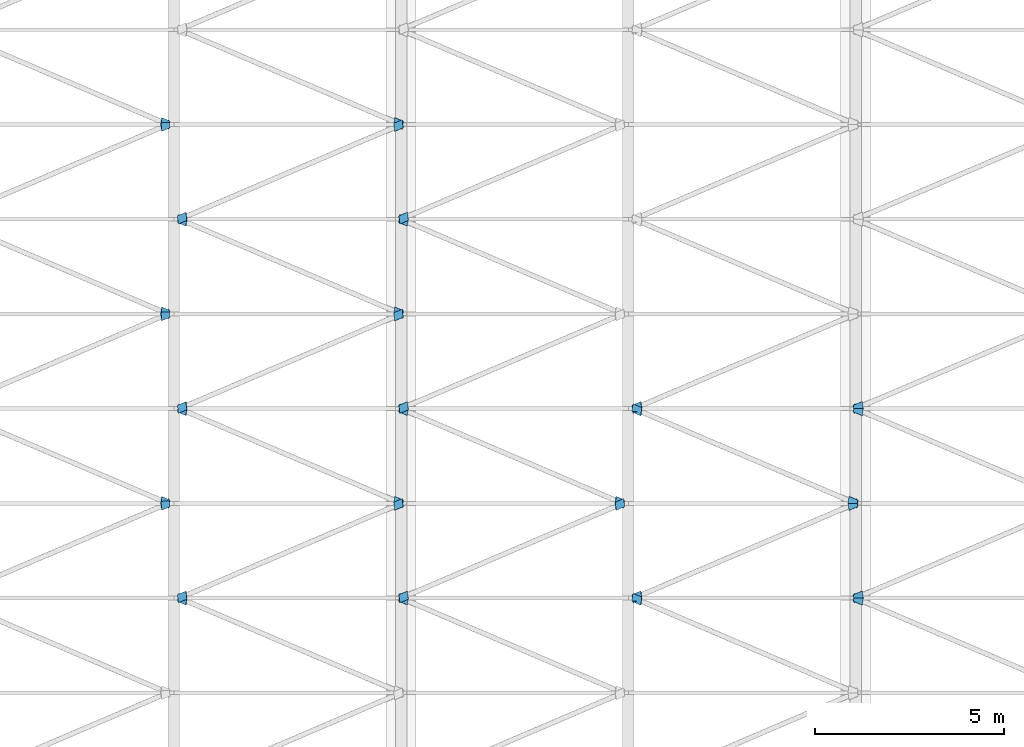
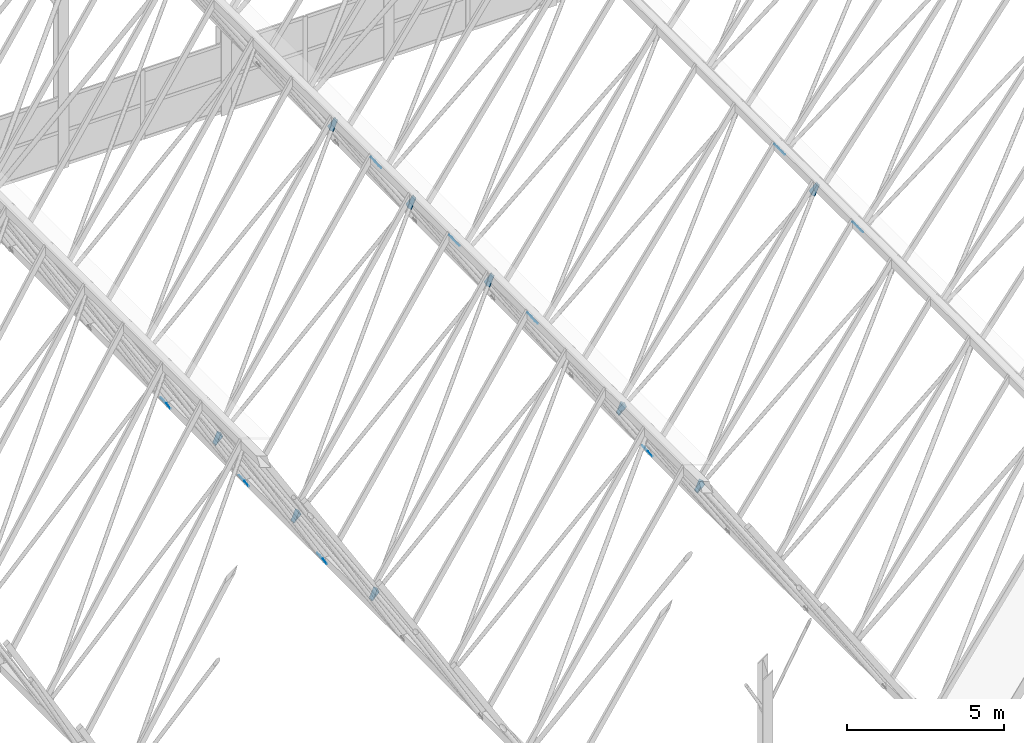
# One storey, part 419 of 483: 36 discrete accessories.
"""IFC4 building model written with IfcOpenShell, lengths in metres."""

import ifcopenshell
import ifcopenshell.guid

model = None  # the IFC model being written
_history = None  # IfcOwnerHistory: only IFC2X3 demands one
_inside = {}  # id of a spatial element -> (the spatial element, [elements in it])
_under = {}  # id of a project, library or spatial element -> (it, [spatial elements below it])
_declared = {}  # id of a project -> (the project, [libraries it declares])
_typed = {}  # id of a type object -> (the type object, [elements of that type])
_made_of = {}  # id of a material, layer set ... -> (it, [elements and type objects made of it])


def new_model(schema):
    """Start an empty IFC model of exactly this schema.

    Asked for "IFC4X3", IfcOpenShell would pick the latest addendum, in which some entities
    have other attributes; the version numbers below select the first issue.
    IFC2X3 requires an IfcOwnerHistory on every rooted entity: one is made here for all.
    """
    global model, _history
    if schema == "IFC4X3":
        model = ifcopenshell.file(schema_version=(4, 3, 0, 0))
    else:
        model = ifcopenshell.file(schema=schema)
    _inside.clear()
    _under.clear()
    _declared.clear()
    _typed.clear()
    _made_of.clear()
    _history = None
    if model.schema == "IFC2X3":
        org = make("IfcOrganization", Name="unknown")
        user = make(
            "IfcPersonAndOrganization",
            ThePerson=make("IfcPerson", FamilyName="unknown"),
            TheOrganization=org,
        )
        app = make(
            "IfcApplication",
            ApplicationDeveloper=org,
            Version="unknown",
            ApplicationFullName="unknown",
            ApplicationIdentifier="unknown",
        )
        _history = make(
            "IfcOwnerHistory",
            OwningUser=user,
            OwningApplication=app,
            ChangeAction="ADDED",
            CreationDate=0,
        )
    return model


def make(cls, **values):
    """One entity of the class cls with the attributes given. An attribute that is None is left unset."""
    return model.create_entity(
        cls, **{name: value for name, value in values.items() if value is not None}
    )


def rooted(cls, **values):
    """An entity with a GlobalId (a new one), such as an element, a storey or a relation."""
    return make(cls, GlobalId=ifcopenshell.guid.new(), OwnerHistory=_history, **values)


def si_unit(unit_type, name, prefix=None):
    """IfcSIUnit, for example si_unit("LENGTHUNIT", "METRE", prefix="MILLI")."""
    return make("IfcSIUnit", UnitType=unit_type, Prefix=prefix, Name=name)


def assignment(units):
    """IfcUnitAssignment: the units of a project."""
    return None if units is None else make("IfcUnitAssignment", Units=units)


def point(xyz):
    """IfcCartesianPoint."""
    return None if xyz is None else make("IfcCartesianPoint", Coordinates=xyz)


def direction(xyz):
    """IfcDirection."""
    return None if xyz is None else make("IfcDirection", DirectionRatios=xyz)


def frame(location, z_axis=None, x_axis=None):
    """IfcAxis2Placement3D, a coordinate frame: its origin and axes. An axis left out is left unset."""
    return make(
        "IfcAxis2Placement3D",
        Location=point(location),
        Axis=direction(z_axis),
        RefDirection=direction(x_axis),
    )


def origin():
    """The frame at (0, 0, 0) with its axes left unset."""
    return frame((0.0, 0.0, 0.0))


def place(relative_to, where):
    """IfcLocalPlacement: puts the frame where relative to a parent placement (None: the world)."""
    return make(
        "IfcLocalPlacement", PlacementRelTo=relative_to, RelativePlacement=where
    )


def context(
    kind, dimensions, precision=None, world=None, true_north=None, identifier=None
):
    """IfcGeometricRepresentationContext, for example the 3D "Model" context."""
    return make(
        "IfcGeometricRepresentationContext",
        ContextIdentifier=identifier,
        ContextType=kind,
        CoordinateSpaceDimension=dimensions,
        Precision=precision,
        WorldCoordinateSystem=world,
        TrueNorth=true_north,
    )


def subcontext(parent, identifier, kind, view, scale=None):
    """IfcGeometricRepresentationSubContext, for example "Body" below "Model"."""
    return make(
        "IfcGeometricRepresentationSubContext",
        ContextIdentifier=identifier,
        ContextType=kind,
        ParentContext=parent,
        TargetScale=scale,
        TargetView=view,
    )


def project(units=None, contexts=None):
    """IfcProject with its units and contexts."""
    return rooted(
        "IfcProject",
        Name="project",
        RepresentationContexts=contexts,
        UnitsInContext=assignment(units),
    )


def spatial(cls, under=None, at=None, **own):
    """A site, building, storey or space (cls), placed at a placement, below another one or the project."""
    s = rooted(cls, ObjectPlacement=at, **own)
    if under is not None:
        _under.setdefault(under.id(), (under, []))[1].append(s)
    return s


def polyline(points):
    """IfcPolyline through the points."""
    return make("IfcPolyline", Points=[point(p) for p in points])


def outline(outer, holes=None, kind="AREA"):
    """IfcArbitraryClosedProfileDef: a profile drawn as a closed curve; with holes, ...WithVoids."""
    if holes is None:
        return make("IfcArbitraryClosedProfileDef", ProfileType=kind, OuterCurve=outer)
    return make(
        "IfcArbitraryProfileDefWithVoids",
        ProfileType=kind,
        OuterCurve=outer,
        InnerCurves=holes,
    )


def extrude(swept, where, along, depth):
    """IfcExtrudedAreaSolid: the profile swept, set in the frame where, extruded along a direction by depth."""
    return make(
        "IfcExtrudedAreaSolid",
        SweptArea=swept,
        Position=where,
        ExtrudedDirection=direction(along),
        Depth=depth,
    )


def shape(context_of_items, identifier, shape_type, items):
    """IfcShapeRepresentation: the items that make up one representation, for example the "Body"."""
    return make(
        "IfcShapeRepresentation",
        ContextOfItems=context_of_items,
        RepresentationIdentifier=identifier,
        RepresentationType=shape_type,
        Items=items,
    )


def material(Name=None, Category=None):
    """IfcMaterial."""
    return make("IfcMaterial", Name=Name, Category=Category)


def layer(
    of_material, thickness, ventilated=None, Name=None, Category=None, Priority=None
):
    """IfcMaterialLayer: one layer of a wall or slab, of a material (None: an air gap)."""
    return make(
        "IfcMaterialLayer",
        Material=of_material,
        LayerThickness=thickness,
        IsVentilated=ventilated,
        Name=Name,
        Category=Category,
        Priority=Priority,
    )


def layer_set(layers, Name=None):
    """IfcMaterialLayerSet."""
    return make("IfcMaterialLayerSet", MaterialLayers=layers, LayerSetName=Name)


def made_of(thing, what):
    """Note that an element or type object is made of a material, layer set ...; save() writes the relation."""
    if what is not None:
        _made_of.setdefault(what.id(), (what, []))[1].append(thing)
    return thing


def type_object(cls, material=None, **own):
    """A type object (cls), such as IfcWallType, which elements share."""
    return made_of(rooted(cls, **own), material)


def element(
    cls,
    number,
    at=None,
    inside=None,
    cuts=None,
    type_object=None,
    material=None,
    context=None,
    identifier="Body",
    shape_type=None,
    held_by="IfcProductDefinitionShape",
    body=None,
    shapes=None,
    **own,
):
    """One element of the class cls, such as IfcWall. Its Tag is "e" and its number.

    at: its placement. inside: the storey or other place that contains it. cuts: it is an
    opening in that element (IfcRelVoidsElement). A single representation is given by context,
    identifier, shape_type and body (its items); several are given by shapes. held_by: the class
    of the entity that holds the representations. save() writes the other relations.
    """
    e = rooted(cls, Tag="e%d" % number, ObjectPlacement=at, **own)
    if body is not None:
        shapes = [shape(context, identifier, shape_type, body)]
    if shapes is not None:
        e.Representation = make(held_by, Representations=shapes)
    if inside is not None:
        _inside.setdefault(inside.id(), (inside, []))[1].append(e)
    if cuts is not None:
        rooted(
            "IfcRelVoidsElement", RelatingBuildingElement=cuts, RelatedOpeningElement=e
        )
    if type_object is not None:
        _typed.setdefault(type_object.id(), (type_object, []))[1].append(e)
    return made_of(e, material)


def aggregate(whole, parts):
    """IfcRelAggregates: a whole, such as a stair, and the parts it consists of."""
    return rooted("IfcRelAggregates", RelatingObject=whole, RelatedObjects=parts)


def save(model, path):
    """Write the relations noted so far, then the file.

    IfcRelAggregates (storeys below a building ...), IfcRelContainedInSpatialStructure (elements
    in a storey), IfcRelDefinesByType, IfcRelAssociatesMaterial and IfcRelDeclares: one each for
    every whole, place, type object, material and project.
    """
    for whole, parts in _under.values():
        aggregate(whole, parts)
    for where, things in _inside.values():
        rooted(
            "IfcRelContainedInSpatialStructure",
            RelatedElements=things,
            RelatingStructure=where,
        )
    for kind, things in _typed.values():
        rooted("IfcRelDefinesByType", RelatedObjects=things, RelatingType=kind)
    for what, things in _made_of.values():
        rooted("IfcRelAssociatesMaterial", RelatedObjects=things, RelatingMaterial=what)
    for by, libraries in _declared.values():
        rooted("IfcRelDeclares", RelatingContext=by, RelatedDefinitions=libraries)
    model.write(path)


model = new_model("IFC4")

# Units and contexts
model_context = context("Model", 3, precision=1e-05, world=origin(), true_north=direction((0.0, 1.0)))
body_context = subcontext(model_context, "Body", "Model", "MODEL_VIEW")
ifc_project = project(units=[si_unit("LENGTHUNIT", "METRE"), si_unit("AREAUNIT", "SQUARE_METRE"), si_unit("VOLUMEUNIT", "CUBIC_METRE"), si_unit("PLANEANGLEUNIT", "RADIAN"), si_unit("MASSUNIT", "GRAM", prefix="KILO")], contexts=[model_context])

# Site, building, storey
site_placement = place(None, origin())
site = spatial("IfcSite", under=ifc_project, at=site_placement, CompositionType="ELEMENT")
building_placement = place(site_placement, origin())
building = spatial("IfcBuilding", under=site, at=building_placement, Name="Parallax Yard Mobility Hub", CompositionType="ELEMENT")
storey_placement = place(building_placement, frame((0.0, 0.0, 13.199951171875)))
storey = spatial("IfcBuildingStorey", under=building, at=storey_placement, Name="L04", CompositionType="ELEMENT", Elevation=13.199951171875)

# Discrete accessories
ifc_material = material(Name="Steel ASTM A36", Category="steel")
ifc_layer = layer(ifc_material, 0.011962890625)
ifc_layer_set = layer_set([ifc_layer], Name="Gusset plate PL12")
discrete_accessory_type = type_object("IfcDiscreteAccessoryType", Name="Gusset plate PL12", PredefinedType="BRACKET", material=ifc_layer_set)
discrete_accessory_1_placement = place(storey_placement, frame((63.205322265625, 22.525390625, 11.4072265625), z_axis=(0.817216414757, 0.000113800611, 0.57633091059), x_axis=(-0.559637132998, 0.239096541355, 0.793498029791)))
element("IfcDiscreteAccessory", 1, at=discrete_accessory_1_placement, inside=storey, type_object=discrete_accessory_type, Name="Gusset plate PL12 at end 2 of Plate diagonal plate F10-F11 bay 6", PredefinedType="BRACKET", context=body_context, shape_type="SweptSolid", body=[
    extrude(outline(polyline([(0.0, 0.0), (0.41967063307510005, 0.0), (0.419748606007688, 0.2195204244093797), (1.9599753546109544e-05, 0.21975748392927294), (0.0, 0.0)])), origin(), (0.0, 0.0, -1.0), 0.011962890625),
])
discrete_accessory_2_placement = place(storey_placement, frame((45.34716796875, 22.529541015625, 3.7099609375), z_axis=(-0.837151551627, 0.000426998738, 0.546970837688), x_axis=(-0.53248050313, 0.228017799443, -0.815151763124)))
element("IfcDiscreteAccessory", 2, at=discrete_accessory_2_placement, inside=storey, type_object=discrete_accessory_type, Name="Gusset plate PL12 at end 2 of Plate diagonal plate F7-F8 bay 6", PredefinedType="BRACKET", context=body_context, shape_type="SweptSolid", body=[
    extrude(outline(polyline([(0.0, 0.0), (0.4197174654260176, 0.0), (0.41974195939473513, 0.2196592115453762), (-4.451756936702661e-05, 0.21964319813459596), (0.0, 0.0)])), origin(), (0.0, 0.0, -1.0), 0.011962890625),
])
discrete_accessory_3_placement = place(storey_placement, frame((51.194580078125, 22.529541015625, 12.05908203125), z_axis=(0.837104809416, -9.4721445e-05, 0.547042529498), x_axis=(-0.532604607357, 0.228088646198, 0.81505085835)))
element("IfcDiscreteAccessory", 3, at=discrete_accessory_3_placement, inside=storey, type_object=discrete_accessory_type, Name="Gusset plate PL12 at end 2 of Plate diagonal plate F8-F9 bay 6", PredefinedType="BRACKET", context=body_context, shape_type="SweptSolid", body=[
    extrude(outline(polyline([(0.0, 0.0), (0.41958745546633935, 1.3877787807814457e-17), (0.41972598432320807, 0.21968973525675228), (8.498435150723627e-06, 0.21965925395969144), (0.0, 0.0)])), origin(), (0.0, 0.0, -1.0), 0.011962890625),
])
discrete_accessory_4_placement = place(storey_placement, frame((57.357666015625, 22.525390625, 3.7021484375), z_axis=(-0.817166710519, -0.000464958066, 0.576401206656), x_axis=(-0.559774062579, 0.239096466815, -0.793401461065)))
element("IfcDiscreteAccessory", 4, at=discrete_accessory_4_placement, inside=storey, type_object=discrete_accessory_type, Name="Gusset plate PL12 at end 2 of Plate diagonal plate F9-F10 bay 6", PredefinedType="BRACKET", context=body_context, shape_type="SweptSolid", body=[
    extrude(outline(polyline([(0.0, 0.0), (0.41967062718625203, 1.3877787807814457e-17), (0.4197486118976303, 0.21952041314712403), (0.00021331307911515163, 0.21980523679261565), (0.0, 0.0)])), origin(), (0.0, 0.0, -1.0), 0.011962890625),
])
discrete_accessory_5_placement = place(storey_placement, frame((63.175048828125, 22.68798828125, 11.4501953125), z_axis=(0.817216414757, -0.000113800611, 0.57633091059), x_axis=(-0.559559267154, -0.239644913639, 0.793387510558)))
element("IfcDiscreteAccessory", 5, at=discrete_accessory_5_placement, inside=storey, type_object=discrete_accessory_type, Name="Gusset plate PL12 at end 1 of Plate diagonal plate F10-F11 bay 7", PredefinedType="BRACKET", context=body_context, shape_type="SweptSolid", body=[
    extrude(outline(polyline([(0.0, 0.0), (0.41972907319877845, -1.3877787807814457e-17), (0.41977508360439614, 0.2195204334354663), (0.00010451746461155598, 0.2197574599488595), (0.0, 0.0)])), origin(), (0.0, 0.0, -1.0), 0.011962890625),
])
discrete_accessory_6_placement = place(storey_placement, frame((44.6875, 24.819091796875, 3.676025390625), z_axis=(0.854018875597, 0.000557720542, 0.520241721771), x_axis=(0.507754756906, 0.21688936589, -0.833753026863)))
element("IfcDiscreteAccessory", 6, at=discrete_accessory_6_placement, inside=storey, type_object=discrete_accessory_type, Name="Gusset plate PL12 at end 2 of Plate diagonal plate F6-F7 bay 7", PredefinedType="BRACKET", context=body_context, shape_type="SweptSolid", body=[
    extrude(outline(polyline([(0.0, 0.0), (0.41986608319760876, -1.3877787807814457e-17), (0.41971987288542956, 0.219614849759619), (5.7342672894721e-05, 0.21956969731158954), (0.0, 0.0)])), origin(), (0.0, 0.0, -1.0), 0.011962890625),
])
discrete_accessory_7_placement = place(storey_placement, frame((45.319580078125, 22.684326171875, 3.668212890625), z_axis=(-0.837151551627, -0.000426998738, 0.546970837688), x_axis=(-0.532485273624, -0.227980657615, -0.815159035481)))
element("IfcDiscreteAccessory", 7, at=discrete_accessory_7_placement, inside=storey, type_object=discrete_accessory_type, Name="Gusset plate PL12 at end 1 of Plate diagonal plate F7-F8 bay 7", PredefinedType="BRACKET", context=body_context, shape_type="SweptSolid", body=[
    extrude(outline(polyline([(0.0, 0.0), (0.41978647726953044, -1.3877787807814457e-17), (0.4197536040571519, 0.21965921045119582), (3.6138936512303266e-05, 0.21964319967298013), (0.0, 0.0)])), origin(), (0.0, 0.0, -1.0), 0.011962890625),
])
for number, where, z_axis, x_axis, name in (
    (8, (50.832763671875, 24.815673828125, 12.10107421875), (-0.837104809416, -9.4721445e-05, 0.547042529498), (0.532613673081, 0.228017936555, 0.815064718815), "Gusset plate PL12 at end 2 of Plate diagonal plate F7-F8 bay 7"),
    (9, (51.167236328125, 22.684326171875, 12.10107421875), (0.837104809416, 9.4721445e-05, 0.547042529498), (-0.532613673081, -0.228017936555, 0.815064718815), "Gusset plate PL12 at end 1 of Plate diagonal plate F8-F9 bay 7"),
):
    element("IfcDiscreteAccessory", number, at=place(storey_placement, frame(where, z_axis=z_axis, x_axis=x_axis)), inside=storey, type_object=discrete_accessory_type, Name=name, PredefinedType="BRACKET", context=body_context, shape_type="SweptSolid", body=[
        extrude(outline(polyline([(0.0, 0.0), (0.41971748699488454, 0.0), (0.4195630035301291, 0.2196897246169816), (-2.4450829726033185e-05, 0.21965925276324816), (0.0, 0.0)])), origin(), (0.0, 0.0, -1.0), 0.011962890625),
    ])
discrete_accessory_8_placement = place(storey_placement, frame((56.680419921875, 24.815673828125, 3.668212890625), z_axis=(0.837151551627, 0.000426998738, 0.546970837688), x_axis=(0.532485273624, 0.227980657615, -0.815159035481)))
element("IfcDiscreteAccessory", 10, at=discrete_accessory_8_placement, inside=storey, type_object=discrete_accessory_type, Name="Gusset plate PL12 at end 2 of Plate diagonal plate F8-F9 bay 7", PredefinedType="BRACKET", context=body_context, shape_type="SweptSolid", body=[
    extrude(outline(polyline([(0.0, 0.0), (0.41978647726953044, -1.3877787807814457e-17), (0.4197536040571519, 0.21965921045119582), (3.6138936512303266e-05, 0.21964319967298013), (0.0, 0.0)])), origin(), (0.0, 0.0, -1.0), 0.011962890625),
])
discrete_accessory_9_placement = place(storey_placement, frame((57.327392578125, 22.68798828125, 3.658935546875), z_axis=(-0.817166710519, 0.000464958066, 0.576401206656), x_axis=(-0.559680620735, -0.239755623166, -0.793268456409)))
element("IfcDiscreteAccessory", 11, at=discrete_accessory_9_placement, inside=storey, type_object=discrete_accessory_type, Name="Gusset plate PL12 at end 1 of Plate diagonal plate F9-F10 bay 7", PredefinedType="BRACKET", context=body_context, shape_type="SweptSolid", body=[
    extrude(outline(polyline([(0.0, 0.0), (0.41953539550227437, -1.3877787807814457e-17), (0.419606443774865, 0.21952041550170728), (-6.408669646303794e-05, 0.2198053309563326), (0.0, 0.0)])), origin(), (0.0, 0.0, -1.0), 0.011962890625),
])
discrete_accessory_10_placement = place(storey_placement, frame((62.824951171875, 24.81201171875, 11.4501953125), z_axis=(-0.817216414757, 0.000113800611, 0.57633091059), x_axis=(0.559559267154, 0.239644913639, 0.793387510558)))
element("IfcDiscreteAccessory", 12, at=discrete_accessory_10_placement, inside=storey, type_object=discrete_accessory_type, Name="Gusset plate PL12 at end 2 of Plate diagonal plate F9-F10 bay 7", PredefinedType="BRACKET", context=body_context, shape_type="SweptSolid", body=[
    extrude(outline(polyline([(0.0, 0.0), (0.41972907319877845, -1.3877787807814457e-17), (0.41977508360439614, 0.2195204334354663), (0.00010451746461155598, 0.2197574599488595), (0.0, 0.0)])), origin(), (0.0, 0.0, -1.0), 0.011962890625),
])
discrete_accessory_11_placement = place(storey_placement, frame((63.205322265625, 27.525390625, 11.4072265625), z_axis=(0.817216414757, 0.000113800611, 0.57633091059), x_axis=(-0.559637132998, 0.239096541355, 0.793498029791)))
element("IfcDiscreteAccessory", 13, at=discrete_accessory_11_placement, inside=storey, type_object=discrete_accessory_type, Name="Gusset plate PL12 at end 2 of Plate diagonal plate F10-F11 bay 8", PredefinedType="BRACKET", context=body_context, shape_type="SweptSolid", body=[
    extrude(outline(polyline([(0.0, 0.0), (0.41967063307510005, 0.0), (0.419748606007688, 0.2195204244093797), (1.9599753546109544e-05, 0.21975748392927294), (0.0, 0.0)])), origin(), (0.0, 0.0, -1.0), 0.011962890625),
])
discrete_accessory_12_placement = place(storey_placement, frame((44.66259765625, 24.966552734375, 3.716552734375), z_axis=(0.854018875597, -0.000557720542, 0.520241721771), x_axis=(0.507742563773, -0.21699439579, -0.833733123445)))
element("IfcDiscreteAccessory", 14, at=discrete_accessory_12_placement, inside=storey, type_object=discrete_accessory_type, Name="Gusset plate PL12 at end 1 of Plate diagonal plate F6-F7 bay 8", PredefinedType="BRACKET", context=body_context, shape_type="SweptSolid", body=[
    extrude(outline(polyline([(0.0, 0.0), (0.41966253264156217, 0.0), (0.41978511409084773, 0.219614864219578), (-8.096667655547313e-05, 0.21956968987108047), (0.0, 0.0)])), origin(), (0.0, 0.0, -1.0), 0.011962890625),
])
discrete_accessory_13_placement = place(storey_placement, frame((50.805419921875, 24.970458984375, 12.05908203125), z_axis=(-0.837104809416, 9.4721445e-05, 0.547042529498), x_axis=(0.532604607357, -0.228088646198, 0.81505085835)))
element("IfcDiscreteAccessory", 15, at=discrete_accessory_13_placement, inside=storey, type_object=discrete_accessory_type, Name="Gusset plate PL12 at end 1 of Plate diagonal plate F7-F8 bay 8", PredefinedType="BRACKET", context=body_context, shape_type="SweptSolid", body=[
    extrude(outline(polyline([(0.0, 0.0), (0.41958745546633935, 1.3877787807814457e-17), (0.41972598432320807, 0.21968973525675228), (8.498435150723627e-06, 0.21965925395969144), (0.0, 0.0)])), origin(), (0.0, 0.0, -1.0), 0.011962890625),
])
for number, where, z_axis, x_axis, name in (
    (16, (45.34716796875, 27.529541015625, 3.7099609375), (-0.837151551627, 0.000426998738, 0.546970837688), (-0.53248050313, 0.228017799443, -0.815151763124), "Gusset plate PL12 at end 2 of Plate diagonal plate F7-F8 bay 8"),
    (17, (56.65283203125, 24.970458984375, 3.7099609375), (0.837151551627, -0.000426998738, 0.546970837688), (0.53248050313, -0.228017799443, -0.815151763124), "Gusset plate PL12 at end 1 of Plate diagonal plate F8-F9 bay 8"),
):
    element("IfcDiscreteAccessory", number, at=place(storey_placement, frame(where, z_axis=z_axis, x_axis=x_axis)), inside=storey, type_object=discrete_accessory_type, Name=name, PredefinedType="BRACKET", context=body_context, shape_type="SweptSolid", body=[
        extrude(outline(polyline([(0.0, 0.0), (0.4197174654260176, 0.0), (0.41974195939473513, 0.2196592115453762), (-4.451756936702661e-05, 0.21964319813459596), (0.0, 0.0)])), origin(), (0.0, 0.0, -1.0), 0.011962890625),
    ])
discrete_accessory_14_placement = place(storey_placement, frame((51.194580078125, 27.529541015625, 12.05908203125), z_axis=(0.837104809416, -9.4721445e-05, 0.547042529498), x_axis=(-0.532604607357, 0.228088646198, 0.81505085835)))
element("IfcDiscreteAccessory", 18, at=discrete_accessory_14_placement, inside=storey, type_object=discrete_accessory_type, Name="Gusset plate PL12 at end 2 of Plate diagonal plate F8-F9 bay 8", PredefinedType="BRACKET", context=body_context, shape_type="SweptSolid", body=[
    extrude(outline(polyline([(0.0, 0.0), (0.41958745546633935, 1.3877787807814457e-17), (0.41972598432320807, 0.21968973525675228), (8.498435150723627e-06, 0.21965925395969144), (0.0, 0.0)])), origin(), (0.0, 0.0, -1.0), 0.011962890625),
])
discrete_accessory_15_placement = place(storey_placement, frame((62.794677734375, 24.974609375, 11.4072265625), z_axis=(-0.817216414757, -0.000113800611, 0.57633091059), x_axis=(0.559637132998, -0.239096541355, 0.793498029791)))
element("IfcDiscreteAccessory", 19, at=discrete_accessory_15_placement, inside=storey, type_object=discrete_accessory_type, Name="Gusset plate PL12 at end 1 of Plate diagonal plate F9-F10 bay 8", PredefinedType="BRACKET", context=body_context, shape_type="SweptSolid", body=[
    extrude(outline(polyline([(0.0, 0.0), (0.41967063307510005, 0.0), (0.419748606007688, 0.2195204244093797), (1.9599753546109544e-05, 0.21975748392927294), (0.0, 0.0)])), origin(), (0.0, 0.0, -1.0), 0.011962890625),
])
discrete_accessory_16_placement = place(storey_placement, frame((57.357666015625, 27.525390625, 3.7021484375), z_axis=(-0.817166710519, -0.000464958066, 0.576401206656), x_axis=(-0.559774062579, 0.239096466815, -0.793401461065)))
element("IfcDiscreteAccessory", 20, at=discrete_accessory_16_placement, inside=storey, type_object=discrete_accessory_type, Name="Gusset plate PL12 at end 2 of Plate diagonal plate F9-F10 bay 8", PredefinedType="BRACKET", context=body_context, shape_type="SweptSolid", body=[
    extrude(outline(polyline([(0.0, 0.0), (0.41967062718625203, 1.3877787807814457e-17), (0.4197486118976303, 0.21952041314712403), (0.00021331307911515163, 0.21980523679261565), (0.0, 0.0)])), origin(), (0.0, 0.0, -1.0), 0.011962890625),
])
discrete_accessory_17_placement = place(storey_placement, frame((63.175048828125, 27.68798828125, 11.4501953125), z_axis=(0.817216414757, -0.000113800611, 0.57633091059), x_axis=(-0.559559267154, -0.239644913639, 0.793387510558)))
element("IfcDiscreteAccessory", 21, at=discrete_accessory_17_placement, inside=storey, type_object=discrete_accessory_type, Name="Gusset plate PL12 at end 1 of Plate diagonal plate F10-F11 bay 9", PredefinedType="BRACKET", context=body_context, shape_type="SweptSolid", body=[
    extrude(outline(polyline([(0.0, 0.0), (0.41972907319877845, -1.3877787807814457e-17), (0.41977508360439614, 0.2195204334354663), (0.00010451746461155598, 0.2197574599488595), (0.0, 0.0)])), origin(), (0.0, 0.0, -1.0), 0.011962890625),
])
discrete_accessory_18_placement = place(storey_placement, frame((44.6875, 29.819091796875, 3.676025390625), z_axis=(0.854018875597, 0.000557720542, 0.520241721771), x_axis=(0.507754756906, 0.21688936589, -0.833753026863)))
element("IfcDiscreteAccessory", 22, at=discrete_accessory_18_placement, inside=storey, type_object=discrete_accessory_type, Name="Gusset plate PL12 at end 2 of Plate diagonal plate F6-F7 bay 9", PredefinedType="BRACKET", context=body_context, shape_type="SweptSolid", body=[
    extrude(outline(polyline([(0.0, 0.0), (0.41986608319760876, -1.3877787807814457e-17), (0.41971987288542956, 0.219614849759619), (5.7342672894721e-05, 0.21956969731158954), (0.0, 0.0)])), origin(), (0.0, 0.0, -1.0), 0.011962890625),
])
discrete_accessory_19_placement = place(storey_placement, frame((45.319580078125, 27.684326171875, 3.668212890625), z_axis=(-0.837151551627, -0.000426998738, 0.546970837688), x_axis=(-0.532485273624, -0.227980657615, -0.815159035481)))
element("IfcDiscreteAccessory", 23, at=discrete_accessory_19_placement, inside=storey, type_object=discrete_accessory_type, Name="Gusset plate PL12 at end 1 of Plate diagonal plate F7-F8 bay 9", PredefinedType="BRACKET", context=body_context, shape_type="SweptSolid", body=[
    extrude(outline(polyline([(0.0, 0.0), (0.41978647726953044, -1.3877787807814457e-17), (0.4197536040571519, 0.21965921045119582), (3.6138936512303266e-05, 0.21964319967298013), (0.0, 0.0)])), origin(), (0.0, 0.0, -1.0), 0.011962890625),
])
for number, where, z_axis, x_axis, name in (
    (24, (50.832763671875, 29.815673828125, 12.10107421875), (-0.837104809416, -9.4721445e-05, 0.547042529498), (0.532613673081, 0.228017936555, 0.815064718815), "Gusset plate PL12 at end 2 of Plate diagonal plate F7-F8 bay 9"),
    (25, (51.167236328125, 27.684326171875, 12.10107421875), (0.837104809416, 9.4721445e-05, 0.547042529498), (-0.532613673081, -0.228017936555, 0.815064718815), "Gusset plate PL12 at end 1 of Plate diagonal plate F8-F9 bay 9"),
):
    element("IfcDiscreteAccessory", number, at=place(storey_placement, frame(where, z_axis=z_axis, x_axis=x_axis)), inside=storey, type_object=discrete_accessory_type, Name=name, PredefinedType="BRACKET", context=body_context, shape_type="SweptSolid", body=[
        extrude(outline(polyline([(0.0, 0.0), (0.41971748699488454, 0.0), (0.4195630035301291, 0.2196897246169816), (-2.4450829726033185e-05, 0.21965925276324816), (0.0, 0.0)])), origin(), (0.0, 0.0, -1.0), 0.011962890625),
    ])
discrete_accessory_20_placement = place(storey_placement, frame((57.327392578125, 27.68798828125, 3.658935546875), z_axis=(-0.817166710519, 0.000464958066, 0.576401206656), x_axis=(-0.559680620735, -0.239755623166, -0.793268456409)))
element("IfcDiscreteAccessory", 26, at=discrete_accessory_20_placement, inside=storey, type_object=discrete_accessory_type, Name="Gusset plate PL12 at end 1 of Plate diagonal plate F9-F10 bay 9", PredefinedType="BRACKET", context=body_context, shape_type="SweptSolid", body=[
    extrude(outline(polyline([(0.0, 0.0), (0.41953539550227437, -1.3877787807814457e-17), (0.419606443774865, 0.21952041550170728), (-6.408669646303794e-05, 0.2198053309563326), (0.0, 0.0)])), origin(), (0.0, 0.0, -1.0), 0.011962890625),
])
discrete_accessory_21_placement = place(storey_placement, frame((44.66259765625, 29.966552734375, 3.716552734375), z_axis=(0.854018875597, -0.000557720542, 0.520241721771), x_axis=(0.507742563773, -0.21699439579, -0.833733123445)))
element("IfcDiscreteAccessory", 27, at=discrete_accessory_21_placement, inside=storey, type_object=discrete_accessory_type, Name="Gusset plate PL12 at end 1 of Plate diagonal plate F6-F7 bay 10", PredefinedType="BRACKET", context=body_context, shape_type="SweptSolid", body=[
    extrude(outline(polyline([(0.0, 0.0), (0.41966253264156217, 0.0), (0.41978511409084773, 0.219614864219578), (-8.096667655547313e-05, 0.21956968987108047), (0.0, 0.0)])), origin(), (0.0, 0.0, -1.0), 0.011962890625),
])
discrete_accessory_22_placement = place(storey_placement, frame((50.805419921875, 29.970458984375, 12.05908203125), z_axis=(-0.837104809416, 9.4721445e-05, 0.547042529498), x_axis=(0.532604607357, -0.228088646198, 0.81505085835)))
element("IfcDiscreteAccessory", 28, at=discrete_accessory_22_placement, inside=storey, type_object=discrete_accessory_type, Name="Gusset plate PL12 at end 1 of Plate diagonal plate F7-F8 bay 10", PredefinedType="BRACKET", context=body_context, shape_type="SweptSolid", body=[
    extrude(outline(polyline([(0.0, 0.0), (0.41958745546633935, 1.3877787807814457e-17), (0.41972598432320807, 0.21968973525675228), (8.498435150723627e-06, 0.21965925395969144), (0.0, 0.0)])), origin(), (0.0, 0.0, -1.0), 0.011962890625),
])
discrete_accessory_23_placement = place(storey_placement, frame((45.34716796875, 32.529541015625, 3.7099609375), z_axis=(-0.837151551627, 0.000426998738, 0.546970837688), x_axis=(-0.53248050313, 0.228017799443, -0.815151763124)))
element("IfcDiscreteAccessory", 29, at=discrete_accessory_23_placement, inside=storey, type_object=discrete_accessory_type, Name="Gusset plate PL12 at end 2 of Plate diagonal plate F7-F8 bay 10", PredefinedType="BRACKET", context=body_context, shape_type="SweptSolid", body=[
    extrude(outline(polyline([(0.0, 0.0), (0.4197174654260176, 0.0), (0.41974195939473513, 0.2196592115453762), (-4.451756936702661e-05, 0.21964319813459596), (0.0, 0.0)])), origin(), (0.0, 0.0, -1.0), 0.011962890625),
])
discrete_accessory_24_placement = place(storey_placement, frame((51.194580078125, 32.529541015625, 12.05908203125), z_axis=(0.837104809416, -9.4721445e-05, 0.547042529498), x_axis=(-0.532604607357, 0.228088646198, 0.81505085835)))
element("IfcDiscreteAccessory", 30, at=discrete_accessory_24_placement, inside=storey, type_object=discrete_accessory_type, Name="Gusset plate PL12 at end 2 of Plate diagonal plate F8-F9 bay 10", PredefinedType="BRACKET", context=body_context, shape_type="SweptSolid", body=[
    extrude(outline(polyline([(0.0, 0.0), (0.41958745546633935, 1.3877787807814457e-17), (0.41972598432320807, 0.21968973525675228), (8.498435150723627e-06, 0.21965925395969144), (0.0, 0.0)])), origin(), (0.0, 0.0, -1.0), 0.011962890625),
])
discrete_accessory_25_placement = place(storey_placement, frame((44.6875, 34.819091796875, 3.676025390625), z_axis=(0.854018875597, 0.000557720542, 0.520241721771), x_axis=(0.507754756906, 0.21688936589, -0.833753026863)))
element("IfcDiscreteAccessory", 31, at=discrete_accessory_25_placement, inside=storey, type_object=discrete_accessory_type, Name="Gusset plate PL12 at end 2 of Plate diagonal plate F6-F7 bay 11", PredefinedType="BRACKET", context=body_context, shape_type="SweptSolid", body=[
    extrude(outline(polyline([(0.0, 0.0), (0.41986608319760876, -1.3877787807814457e-17), (0.41971987288542956, 0.219614849759619), (5.7342672894721e-05, 0.21956969731158954), (0.0, 0.0)])), origin(), (0.0, 0.0, -1.0), 0.011962890625),
])
discrete_accessory_26_placement = place(storey_placement, frame((45.319580078125, 32.684326171875, 3.668212890625), z_axis=(-0.837151551627, -0.000426998738, 0.546970837688), x_axis=(-0.532485273624, -0.227980657615, -0.815159035481)))
element("IfcDiscreteAccessory", 32, at=discrete_accessory_26_placement, inside=storey, type_object=discrete_accessory_type, Name="Gusset plate PL12 at end 1 of Plate diagonal plate F7-F8 bay 11", PredefinedType="BRACKET", context=body_context, shape_type="SweptSolid", body=[
    extrude(outline(polyline([(0.0, 0.0), (0.41978647726953044, -1.3877787807814457e-17), (0.4197536040571519, 0.21965921045119582), (3.6138936512303266e-05, 0.21964319967298013), (0.0, 0.0)])), origin(), (0.0, 0.0, -1.0), 0.011962890625),
])
for number, where, z_axis, x_axis, name in (
    (33, (50.832763671875, 34.815673828125, 12.10107421875), (-0.837104809416, -9.4721445e-05, 0.547042529498), (0.532613673081, 0.228017936555, 0.815064718815), "Gusset plate PL12 at end 2 of Plate diagonal plate F7-F8 bay 11"),
    (34, (51.167236328125, 32.684326171875, 12.10107421875), (0.837104809416, 9.4721445e-05, 0.547042529498), (-0.532613673081, -0.228017936555, 0.815064718815), "Gusset plate PL12 at end 1 of Plate diagonal plate F8-F9 bay 11"),
):
    element("IfcDiscreteAccessory", number, at=place(storey_placement, frame(where, z_axis=z_axis, x_axis=x_axis)), inside=storey, type_object=discrete_accessory_type, Name=name, PredefinedType="BRACKET", context=body_context, shape_type="SweptSolid", body=[
        extrude(outline(polyline([(0.0, 0.0), (0.41971748699488454, 0.0), (0.4195630035301291, 0.2196897246169816), (-2.4450829726033185e-05, 0.21965925276324816), (0.0, 0.0)])), origin(), (0.0, 0.0, -1.0), 0.011962890625),
    ])
discrete_accessory_27_placement = place(storey_placement, frame((44.66259765625, 34.966552734375, 3.716552734375), z_axis=(0.854018875597, -0.000557720542, 0.520241721771), x_axis=(0.507742563773, -0.21699439579, -0.833733123445)))
element("IfcDiscreteAccessory", 35, at=discrete_accessory_27_placement, inside=storey, type_object=discrete_accessory_type, Name="Gusset plate PL12 at end 1 of Plate diagonal plate F6-F7 bay 12", PredefinedType="BRACKET", context=body_context, shape_type="SweptSolid", body=[
    extrude(outline(polyline([(0.0, 0.0), (0.41966253264156217, 0.0), (0.41978511409084773, 0.219614864219578), (-8.096667655547313e-05, 0.21956968987108047), (0.0, 0.0)])), origin(), (0.0, 0.0, -1.0), 0.011962890625),
])
discrete_accessory_28_placement = place(storey_placement, frame((50.805419921875, 34.970458984375, 12.05908203125), z_axis=(-0.837104809416, 9.4721445e-05, 0.547042529498), x_axis=(0.532604607357, -0.228088646198, 0.81505085835)))
element("IfcDiscreteAccessory", 36, at=discrete_accessory_28_placement, inside=storey, type_object=discrete_accessory_type, Name="Gusset plate PL12 at end 1 of Plate diagonal plate F7-F8 bay 12", PredefinedType="BRACKET", context=body_context, shape_type="SweptSolid", body=[
    extrude(outline(polyline([(0.0, 0.0), (0.41958745546633935, 1.3877787807814457e-17), (0.41972598432320807, 0.21968973525675228), (8.498435150723627e-06, 0.21965925395969144), (0.0, 0.0)])), origin(), (0.0, 0.0, -1.0), 0.011962890625),
])

save(model, "model.ifc")
